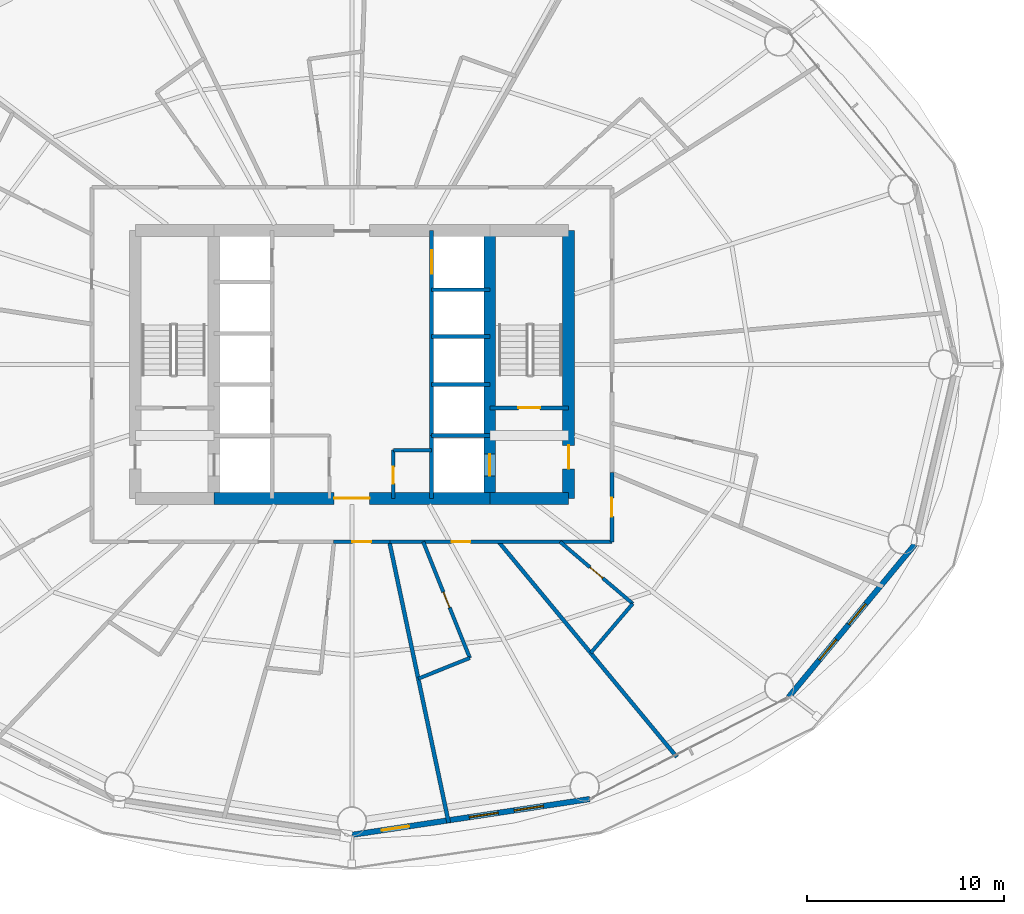
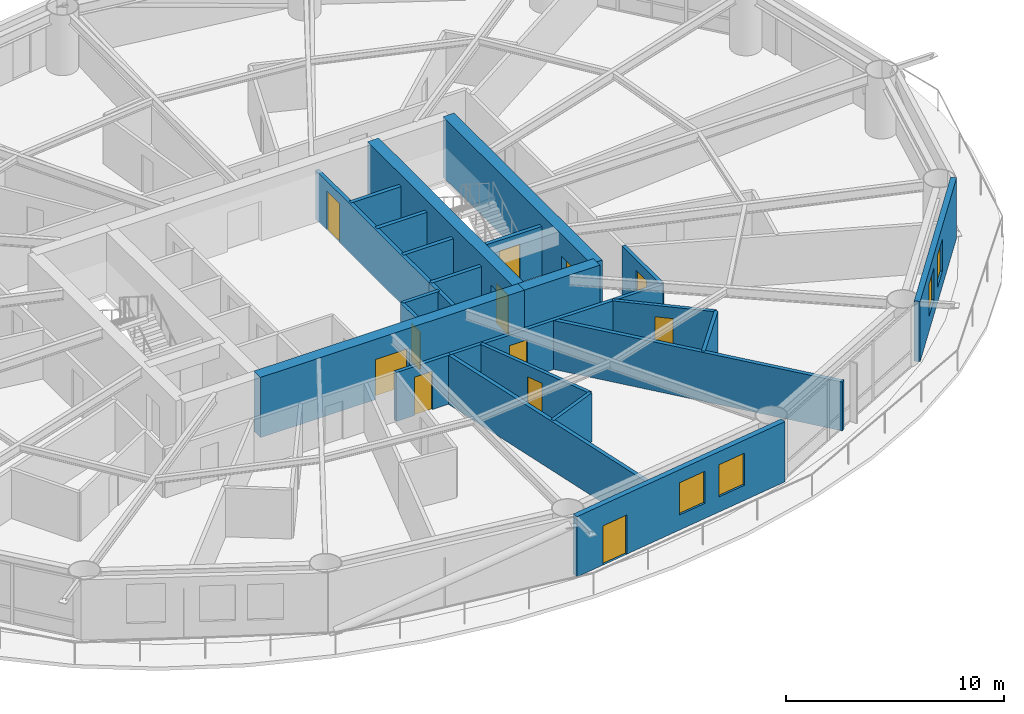
# One storey, part 23 of 28: 24 walls, 12 doors, 4 windows, 16 openings.
"""IFC4 building model written with IfcOpenShell, lengths in metres."""

from ifc_helpers import new_model, si_unit, direction, frame, frame_2d, origin, place, context, subcontext, project, spatial, rectangle, extrude, material, layer, layer_set, type_object, element, fill, save


model = new_model("IFC4")

# Units and contexts
model_context = context("Model", 3, precision=1e-05, world=origin(), true_north=direction((0.0, 1.0)))
body_context = subcontext(model_context, "Body", "Model", "MODEL_VIEW")
ifc_project = project(units=[si_unit("LENGTHUNIT", "METRE"), si_unit("AREAUNIT", "SQUARE_METRE"), si_unit("VOLUMEUNIT", "CUBIC_METRE"), si_unit("PLANEANGLEUNIT", "RADIAN"), si_unit("MASSUNIT", "GRAM", prefix="KILO")], contexts=[model_context])

# Site, building, storey
site_placement = place(None, origin())
site = spatial("IfcSite", under=ifc_project, at=site_placement, CompositionType="ELEMENT")
building_placement = place(site_placement, origin())
building = spatial("IfcBuilding", under=site, at=building_placement, Name="Sarneth Arch Tower", CompositionType="ELEMENT")
storey_placement = place(building_placement, frame((0.0, 0.0, 31.800048828125)))
storey = spatial("IfcBuildingStorey", under=building, at=storey_placement, Name="L06", CompositionType="ELEMENT", Elevation=31.800048828125)

# Wall, opening, door
ifc_material_1 = material(Name="Concrete C60/75", Category="concrete")
ifc_layer_1 = layer(ifc_material_1, 0.60009765625)
ifc_layer_set_1 = layer_set([ifc_layer_1], Name="Concrete C60/75")
wall_type_1 = type_object("IfcWallType", Name="WALL-CORE-600", PredefinedType="SHEAR", material=ifc_layer_set_1)
wall_1_placement = place(storey_placement, frame((41.0, 35.199951171875, 0.0), z_axis=(0.0, 0.0, 1.0), x_axis=(1.0, 0.0, 0.0)))
wall_1 = element("IfcWall", 1, at=wall_1_placement, inside=storey, type_object=wall_type_1, Name="L06 Core shear wall S-M", PredefinedType="SHEAR", context=body_context, shape_type="SweptSolid", body=[
    extrude(rectangle(XDim=14.0, YDim=0.60009765625, at=frame_2d((7.0, 0.0))), origin(), (0.0, 0.0, 1.0), 3.3798828125),
])
opening_1_placement = place(wall_1_placement, frame((6.10009765625, 0.0, 0.0)))
opening_1 = element("IfcOpeningElement", 2, at=opening_1_placement, cuts=wall_1, Name="Opening FD-01", PredefinedType="OPENING", context=body_context, shape_type="SweptSolid", body=[
    extrude(rectangle(XDim=1.800048828125, YDim=2.25, at=frame_2d((0.89990234375, 1.125))), frame((0.0, 0.31005859375, 0.0), z_axis=(0.0, -1.0, 0.0), x_axis=(1.0, 0.0, 0.0)), (0.0, 0.0, 1.0), 0.6201171875),
])
ifc_material_2 = material(Name="Galvanised Steel S275 fire door set", Category="steel")
door_type_1 = type_object("IfcDoorType", Name="DR-FD90-1800", OperationType="DOUBLE_DOOR_SINGLE_SWING", PredefinedType="DOOR", material=ifc_material_2)
door_1_placement = place(opening_1_placement, origin())
door_1 = element("IfcDoor", 3, at=door_1_placement, inside=storey, type_object=door_type_1, Name="L06 Central lift lobby south door", OperationType="DOUBLE_DOOR_SINGLE_SWING", OverallHeight=2.25, OverallWidth=1.800048828125, PredefinedType="DOOR", context=body_context, shape_type="SweptSolid", body=[
    extrude(rectangle(XDim=1.800048828125, YDim=2.25, at=frame_2d((0.89990234375, 1.125))), frame((0.0, 0.02490234375, 0.0), z_axis=(0.0, -1.0, 0.0), x_axis=(1.0, 0.0, 0.0)), (0.0, 0.0, 1.0), 0.050048828125),
])
fill(opening_1, door_1)

# Wall
wall_2_placement = place(storey_placement, frame((55.0, 35.199951171875, 0.0), z_axis=(0.0, 0.0, 1.0), x_axis=(1.0, 0.0, 0.0)))
element("IfcWall", 4, at=wall_2_placement, inside=storey, type_object=wall_type_1, Name="L06 Core shear wall S-E", PredefinedType="SHEAR", context=body_context, shape_type="SweptSolid", body=[
    extrude(rectangle(XDim=4.0, YDim=0.60009765625, at=frame_2d((2.0, 0.0))), origin(), (0.0, 0.0, 1.0), 3.3798828125),
])

# Wall, opening, door
wall_3_placement = place(storey_placement, frame((59.0, 35.199951171875, 0.0), z_axis=(0.0, 0.0, 1.0), x_axis=(0.0, 1.0, 0.0)))
wall_3 = element("IfcWall", 5, at=wall_3_placement, inside=storey, type_object=wall_type_1, Name="L06 Core shear wall E", PredefinedType="SHEAR", context=body_context, shape_type="SweptSolid", body=[
    extrude(rectangle(XDim=13.60009765625, YDim=0.60009765625, at=frame_2d((6.800048828125, 0.0))), origin(), (0.0, 0.0, 1.0), 3.3798828125),
])
opening_2_placement = place(wall_3_placement, frame((1.5, 0.0, 0.0)))
opening_2 = element("IfcOpeningElement", 6, at=opening_2_placement, cuts=wall_3, Name="Opening FD-02", PredefinedType="OPENING", context=body_context, shape_type="SweptSolid", body=[
    extrude(rectangle(XDim=1.199951171875, YDim=2.14990234375, at=frame_2d((0.60009765625, 1.074951171875))), frame((0.0, 0.31005859375, 0.0), z_axis=(0.0, -1.0, 0.0), x_axis=(1.0, 0.0, 0.0)), (0.0, 0.0, 1.0), 0.6201171875),
])
ifc_material_3 = material(Name="Galvanised Steel S275 fire door set", Category="steel")
door_type_2 = type_object("IfcDoorType", Name="DR-FD90-1200", OperationType="SINGLE_SWING_LEFT", PredefinedType="DOOR", material=ifc_material_3)
door_2_placement = place(opening_2_placement, origin())
door_2 = element("IfcDoor", 7, at=door_2_placement, inside=storey, type_object=door_type_2, Name="L06 Firefighting lobby 2 exit door", OperationType="SINGLE_SWING_RIGHT", OverallHeight=2.14990234375, OverallWidth=1.199951171875, PredefinedType="DOOR", context=body_context, shape_type="SweptSolid", body=[
    extrude(rectangle(XDim=1.199951171875, YDim=2.14990234375, at=frame_2d((0.60009765625, 1.074951171875))), frame((0.0, 0.02490234375, 0.0), z_axis=(0.0, -1.0, 0.0), x_axis=(1.0, 0.0, 0.0)), (0.0, 0.0, 1.0), 0.050048828125),
])
fill(opening_2, door_2)

wall_4_placement = place(storey_placement, frame((55.0, 35.199951171875, 0.0), z_axis=(0.0, 0.0, 1.0), x_axis=(0.0, 1.0, 0.0)))
wall_4 = element("IfcWall", 8, at=wall_4_placement, inside=storey, type_object=wall_type_1, Name="L06 Core shear wall WEB-E", PredefinedType="SHEAR", context=body_context, shape_type="SweptSolid", body=[
    extrude(rectangle(XDim=13.60009765625, YDim=0.60009765625, at=frame_2d((6.800048828125, 0.0))), origin(), (0.0, 0.0, 1.0), 3.3798828125),
])
opening_3_placement = place(wall_4_placement, frame((1.14990234375, 0.0, 0.0)))
opening_3 = element("IfcOpeningElement", 9, at=opening_3_placement, cuts=wall_4, Name="Opening LD-1", PredefinedType="OPENING", context=body_context, shape_type="SweptSolid", body=[
    extrude(rectangle(XDim=1.10009765625, YDim=2.199951171875, at=frame_2d((0.550048828125, 1.10009765625))), frame((0.0, 0.31005859375, 0.0), z_axis=(0.0, -1.0, 0.0), x_axis=(1.0, 0.0, 0.0)), (0.0, 0.0, 1.0), 0.6201171875),
])
ifc_material_4 = material(Name="Brushed Stainless Steel 304 lift landing door", Category="steel")
door_type_3 = type_object("IfcDoorType", Name="DR-LIFT-SLIDE-1100", OperationType="SLIDING_TO_LEFT", PredefinedType="DOOR", material=ifc_material_4)
door_3_placement = place(opening_3_placement, origin())
door_3 = element("IfcDoor", 10, at=door_3_placement, inside=storey, type_object=door_type_3, Name="L06 Firefighting lift landing door FL-2", OperationType="SLIDING_TO_RIGHT", OverallHeight=2.199951171875, OverallWidth=1.10009765625, PredefinedType="DOOR", context=body_context, shape_type="SweptSolid", body=[
    extrude(rectangle(XDim=1.10009765625, YDim=2.199951171875, at=frame_2d((0.550048828125, 1.10009765625))), frame((0.0, 0.02490234375, 0.0), z_axis=(0.0, -1.0, 0.0), x_axis=(1.0, 0.0, 0.0)), (0.0, 0.0, 1.0), 0.050048828125),
])
fill(opening_3, door_3)

ifc_material_5 = material(Name="Double steel-stud corridor fire wall", Category="steel")
ifc_layer_2 = layer(ifc_material_5, 0.18994140625)
ifc_layer_set_2 = layer_set([ifc_layer_2], Name="Double steel-stud corridor fire wall")
wall_type_2 = type_object("IfcWallType", Name="WALL-CORR-190", PredefinedType="PARTITIONING", material=ifc_layer_set_2)
wall_5_placement = place(storey_placement, frame((61.199951171875, 33.0, 0.0), z_axis=(0.0, 0.0, 1.0), x_axis=(-1.0, 0.0, 0.0)))
wall_5 = element("IfcWall", 11, at=wall_5_placement, inside=storey, type_object=wall_type_2, Name="L06 Interior partition W-L06-TP-022", PredefinedType="PARTITIONING", context=body_context, shape_type="SweptSolid", body=[
    extrude(rectangle(XDim=11.299560546875, YDim=0.18994140625, at=frame_2d((5.64990234375, 0.0))), origin(), (0.0, 0.0, 1.0), 2.739990234375),
])
opening_4_placement = place(wall_5_placement, frame((7.1884765625, 0.0, 0.0)))
opening_4 = element("IfcOpeningElement", 12, at=opening_4_placement, cuts=wall_5, Name="Opening FD-09", PredefinedType="OPENING", context=body_context, shape_type="SweptSolid", body=[
    extrude(rectangle(XDim=0.949951171875, YDim=2.14990234375, at=frame_2d((0.47509765625, 1.074951171875))), frame((0.0, 0.10498046875, 0.0), z_axis=(0.0, -1.0, 0.0), x_axis=(1.0, 0.0, 0.0)), (0.0, 0.0, 1.0), 0.2099609375),
])
ifc_material_6 = material(Name="Hardwood timber hotel entrance fire door", Category="wood")
door_type_4 = type_object("IfcDoorType", Name="DR-FD60-950", OperationType="SINGLE_SWING_RIGHT", PredefinedType="DOOR", material=ifc_material_6)
door_4_placement = place(opening_4_placement, origin())
door_4 = element("IfcDoor", 13, at=door_4_placement, inside=storey, type_object=door_type_4, Name="L06 Interior door DR-L06-KEY-11", OperationType="SINGLE_SWING_RIGHT", OverallHeight=2.14990234375, OverallWidth=0.949951171875, PredefinedType="DOOR", context=body_context, shape_type="SweptSolid", body=[
    extrude(rectangle(XDim=0.949951171875, YDim=2.14990234375, at=frame_2d((0.47509765625, 1.074951171875))), frame((0.0, 0.02490234375, 0.0), z_axis=(0.0, -1.0, 0.0), x_axis=(1.0, 0.0, 0.0)), (0.0, 0.0, 1.0), 0.050048828125),
])
fill(opening_4, door_4)

wall_6_placement = place(storey_placement, frame((61.199951171875, 36.51513671875, 0.0), z_axis=(0.0, 0.0, 1.0), x_axis=(0.0, -1.0, 0.0)))
wall_6 = element("IfcWall", 14, at=wall_6_placement, inside=storey, type_object=wall_type_2, Name="L06 Interior partition W-L06-TP-024", PredefinedType="PARTITIONING", context=body_context, shape_type="SweptSolid", body=[
    extrude(rectangle(XDim=3.51513671875, YDim=0.18994140625, at=frame_2d((1.757568359375, 0.0))), origin(), (0.0, 0.0, 1.0), 2.739990234375),
])
opening_5_placement = place(wall_6_placement, frame((1.282470703125, 0.0, 0.0)))
opening_5 = element("IfcOpeningElement", 15, at=opening_5_placement, cuts=wall_6, Name="Opening FD-09", PredefinedType="OPENING", context=body_context, shape_type="SweptSolid", body=[
    extrude(rectangle(XDim=0.949951171875, YDim=2.14990234375, at=frame_2d((0.47509765625, 1.074951171875))), frame((0.0, 0.10498046875, 0.0), z_axis=(0.0, -1.0, 0.0), x_axis=(1.0, 0.0, 0.0)), (0.0, 0.0, 1.0), 0.2099609375),
])
door_5_placement = place(opening_5_placement, origin())
door_5 = element("IfcDoor", 16, at=door_5_placement, inside=storey, type_object=door_type_4, Name="L06 Interior door DR-L06-KEY-12", OperationType="SINGLE_SWING_RIGHT", OverallHeight=2.14990234375, OverallWidth=0.949951171875, PredefinedType="DOOR", context=body_context, shape_type="SweptSolid", body=[
    extrude(rectangle(XDim=0.949951171875, YDim=2.14990234375, at=frame_2d((0.47509765625, 1.074951171875))), frame((0.0, 0.02490234375, 0.0), z_axis=(0.0, -1.0, 0.0), x_axis=(1.0, 0.0, 0.0)), (0.0, 0.0, 1.0), 0.050048828125),
])
fill(opening_5, door_5)

wall_7_placement = place(storey_placement, frame((49.93310546875, 33.0, 0.0), z_axis=(0.0, 0.0, 1.0), x_axis=(-1.0, 0.0, 0.0)))
wall_7 = element("IfcWall", 17, at=wall_7_placement, inside=storey, type_object=wall_type_2, Name="L06 Interior partition W-L06-TP-020", PredefinedType="PARTITIONING", context=body_context, shape_type="SweptSolid", body=[
    extrude(rectangle(XDim=2.87939453125, YDim=0.18994140625, at=frame_2d((1.439697265625, 0.0))), origin(), (0.0, 0.0, 1.0), 2.739990234375),
])
opening_6_placement = place(wall_7_placement, frame((0.96484375, 0.0, 0.0)))
opening_6 = element("IfcOpeningElement", 18, at=opening_6_placement, cuts=wall_7, Name="Opening FD-09", PredefinedType="OPENING", context=body_context, shape_type="SweptSolid", body=[
    extrude(rectangle(XDim=0.949951171875, YDim=2.14990234375, at=frame_2d((0.47509765625, 1.074951171875))), frame((0.0, 0.10498046875, 0.0), z_axis=(0.0, -1.0, 0.0), x_axis=(1.0, 0.0, 0.0)), (0.0, 0.0, 1.0), 0.2099609375),
])
door_6_placement = place(opening_6_placement, origin())
door_6 = element("IfcDoor", 19, at=door_6_placement, inside=storey, type_object=door_type_4, Name="L06 Interior door DR-L06-KEY-10", OperationType="SINGLE_SWING_RIGHT", OverallHeight=2.14990234375, OverallWidth=0.949951171875, PredefinedType="DOOR", context=body_context, shape_type="SweptSolid", body=[
    extrude(rectangle(XDim=0.949951171875, YDim=2.14990234375, at=frame_2d((0.47509765625, 1.074951171875))), frame((0.0, 0.02490234375, 0.0), z_axis=(0.0, -1.0, 0.0), x_axis=(1.0, 0.0, 0.0)), (0.0, 0.0, 1.0), 0.050048828125),
])
fill(opening_6, door_6)

# Wall, openings, door, windows
ifc_material_7 = material(Name="Extruded terracotta rainscreen on Concrete C40/50 backing", Category="masonry")
ifc_layer_3 = layer(ifc_material_7, 0.280029296875)
ifc_layer_set_3 = layer_set([ifc_layer_3], Name="Extruded terracotta rainscreen on Concrete C40/50 backing")
wall_type_3 = type_object("IfcWallType", Name="WALL-EXT-TERRA-280", PredefinedType="SOLIDWALL", material=ifc_layer_set_3)
wall_8_placement = place(storey_placement, frame((48.0, 18.1201171875, 0.0), z_axis=(0.0, 0.0, 1.0), x_axis=(0.988864835849, 0.148816452121, 0.0)))
wall_8 = element("IfcWall", 20, at=wall_8_placement, inside=storey, type_object=wall_type_3, Name="L06 Terracotta perimeter wall 13", PredefinedType="SOLIDWALL", context=body_context, shape_type="SweptSolid", body=[
    extrude(rectangle(XDim=12.2138671875, YDim=0.280029296875, at=frame_2d((6.10693359375, 0.0))), origin(), (0.0, 0.0, 1.0), 3.3798828125),
])
opening_7_placement = place(wall_8_placement, frame((1.53125, 0.0, 0.0)))
opening_7 = element("IfcOpeningElement", 21, at=opening_7_placement, cuts=wall_8, Name="Opening BD-2", PredefinedType="OPENING", context=body_context, shape_type="SweptSolid", body=[
    extrude(rectangle(XDim=1.39990234375, YDim=2.199951171875, at=frame_2d((0.699951171875, 1.10009765625))), frame((0.0, 0.14990234375, 0.0), z_axis=(0.0, -1.0, 0.0), x_axis=(1.0, 0.0, 0.0)), (0.0, 0.0, 1.0), 0.300048828125),
])
opening_8_placement = place(wall_8_placement, frame((6.01611328125, 0.0, 0.85009765625)))
opening_8 = element("IfcOpeningElement", 22, at=opening_8_placement, cuts=wall_8, Name="Opening W-07", PredefinedType="OPENING", context=body_context, shape_type="SweptSolid", body=[
    extrude(rectangle(XDim=1.5, YDim=1.800048828125, at=frame_2d((0.75, 0.89990234375))), frame((0.0, 0.14990234375, 0.0), z_axis=(0.0, -1.0, 0.0), x_axis=(1.0, 0.0, 0.0)), (0.0, 0.0, 1.0), 0.300048828125),
])
opening_9_placement = place(wall_8_placement, frame((8.333251953125, 0.0, 0.85009765625)))
opening_9 = element("IfcOpeningElement", 23, at=opening_9_placement, cuts=wall_8, Name="Opening W-07", PredefinedType="OPENING", context=body_context, shape_type="SweptSolid", body=[
    extrude(rectangle(XDim=1.5, YDim=1.800048828125, at=frame_2d((0.75, 0.89990234375))), frame((0.0, 0.14990234375, 0.0), z_axis=(0.0, -1.0, 0.0), x_axis=(1.0, 0.0, 0.0)), (0.0, 0.0, 1.0), 0.300048828125),
])
ifc_material_8 = material(Name="Thermally broken Aluminium 6063-T6 and laminated safety glass", Category="aluminium")
door_type_5 = type_object("IfcDoorType", Name="DR-BALC-GLZ-1400", OperationType="SINGLE_SWING_LEFT", PredefinedType="DOOR", material=ifc_material_8)
door_7_placement = place(opening_7_placement, origin())
door_7 = element("IfcDoor", 24, at=door_7_placement, inside=storey, type_object=door_type_5, Name="L06 Balcony glazed door 13", OperationType="SINGLE_SWING_LEFT", OverallHeight=2.199951171875, OverallWidth=1.39990234375, PredefinedType="DOOR", context=body_context, shape_type="SweptSolid", body=[
    extrude(rectangle(XDim=1.39990234375, YDim=2.199951171875, at=frame_2d((0.699951171875, 1.10009765625))), frame((0.0, 0.02490234375, 0.0), z_axis=(0.0, -1.0, 0.0), x_axis=(1.0, 0.0, 0.0)), (0.0, 0.0, 1.0), 0.050048828125),
])
fill(opening_7, door_7)
ifc_material_9 = material(Name="Thermally broken Aluminium 6063-T6 and low-e laminated IGU", Category="aluminium")
window_type_1 = type_object("IfcWindowType", Name="WIN-TWR-1500x1800", PartitioningType="SINGLE_PANEL", PredefinedType="WINDOW", material=ifc_material_9)
window_1_placement = place(opening_8_placement, origin())
window_1 = element("IfcWindow", 25, at=window_1_placement, inside=storey, type_object=window_type_1, Name="L06 Exterior window 13A", OverallHeight=1.800048828125, OverallWidth=1.5, PartitioningType="SINGLE_PANEL", PredefinedType="WINDOW", context=body_context, shape_type="SweptSolid", body=[
    extrude(rectangle(XDim=1.5, YDim=1.800048828125, at=frame_2d((0.75, 0.89990234375))), frame((0.0, 0.030029296875, 0.0), z_axis=(0.0, -1.0, 0.0), x_axis=(1.0, 0.0, 0.0)), (0.0, 0.0, 1.0), 0.06005859375),
])
fill(opening_8, window_1)
window_2_placement = place(opening_9_placement, origin())
window_2 = element("IfcWindow", 26, at=window_2_placement, inside=storey, type_object=window_type_1, Name="L06 Exterior window 13B", OverallHeight=1.800048828125, OverallWidth=1.5, PartitioningType="SINGLE_PANEL", PredefinedType="WINDOW", context=body_context, shape_type="SweptSolid", body=[
    extrude(rectangle(XDim=1.5, YDim=1.800048828125, at=frame_2d((0.75, 0.89990234375))), frame((0.0, 0.030029296875, 0.0), z_axis=(0.0, -1.0, 0.0), x_axis=(1.0, 0.0, 0.0)), (0.0, 0.0, 1.0), 0.06005859375),
])
fill(opening_9, window_2)

# Wall, openings, windows
wall_9_placement = place(storey_placement, frame((70.174072265625, 25.1142578125, 0.0), z_axis=(0.0, 0.0, 1.0), x_axis=(0.637296809613, 0.770618437657, 0.0)))
wall_9 = element("IfcWall", 27, at=wall_9_placement, inside=storey, type_object=wall_type_3, Name="L06 Terracotta perimeter wall 15", PredefinedType="SOLIDWALL", context=body_context, shape_type="SweptSolid", body=[
    extrude(rectangle(XDim=10.053466796875, YDim=0.280029296875, at=frame_2d((5.02685546875, 0.0))), origin(), (0.0, 0.0, 1.0), 3.3798828125),
])
opening_10_placement = place(wall_9_placement, frame((2.452880859375, 0.0, 0.85009765625)))
opening_10 = element("IfcOpeningElement", 28, at=opening_10_placement, cuts=wall_9, Name="Opening W-08", PredefinedType="OPENING", context=body_context, shape_type="SweptSolid", body=[
    extrude(rectangle(XDim=1.35009765625, YDim=1.800048828125, at=frame_2d((0.675048828125, 0.89990234375))), frame((0.0, 0.14990234375, 0.0), z_axis=(0.0, -1.0, 0.0), x_axis=(1.0, 0.0, 0.0)), (0.0, 0.0, 1.0), 0.300048828125),
])
opening_11_placement = place(wall_9_placement, frame((4.789306640625, 0.0, 0.85009765625)))
opening_11 = element("IfcOpeningElement", 29, at=opening_11_placement, cuts=wall_9, Name="Opening W-08", PredefinedType="OPENING", context=body_context, shape_type="SweptSolid", body=[
    extrude(rectangle(XDim=1.35009765625, YDim=1.800048828125, at=frame_2d((0.675048828125, 0.89990234375))), frame((0.0, 0.14990234375, 0.0), z_axis=(0.0, -1.0, 0.0), x_axis=(1.0, 0.0, 0.0)), (0.0, 0.0, 1.0), 0.300048828125),
])
ifc_material_10 = material(Name="Thermally broken Aluminium 6063-T6 and low-e laminated IGU", Category="aluminium")
window_type_2 = type_object("IfcWindowType", Name="WIN-TWR-1350x1800", PartitioningType="SINGLE_PANEL", PredefinedType="WINDOW", material=ifc_material_10)
window_3_placement = place(opening_10_placement, origin())
window_3 = element("IfcWindow", 30, at=window_3_placement, inside=storey, type_object=window_type_2, Name="L06 Exterior window 15A", OverallHeight=1.800048828125, OverallWidth=1.35009765625, PartitioningType="SINGLE_PANEL", PredefinedType="WINDOW", context=body_context, shape_type="SweptSolid", body=[
    extrude(rectangle(XDim=1.35009765625, YDim=1.800048828125, at=frame_2d((0.675048828125, 0.89990234375))), frame((0.0, 0.030029296875, 0.0), z_axis=(0.0, -1.0, 0.0), x_axis=(1.0, 0.0, 0.0)), (0.0, 0.0, 1.0), 0.06005859375),
])
fill(opening_10, window_3)
window_4_placement = place(opening_11_placement, origin())
window_4 = element("IfcWindow", 31, at=window_4_placement, inside=storey, type_object=window_type_2, Name="L06 Exterior window 15B", OverallHeight=1.800048828125, OverallWidth=1.35009765625, PartitioningType="SINGLE_PANEL", PredefinedType="WINDOW", context=body_context, shape_type="SweptSolid", body=[
    extrude(rectangle(XDim=1.35009765625, YDim=1.800048828125, at=frame_2d((0.675048828125, 0.89990234375))), frame((0.0, 0.030029296875, 0.0), z_axis=(0.0, -1.0, 0.0), x_axis=(1.0, 0.0, 0.0)), (0.0, 0.0, 1.0), 0.06005859375),
])
fill(opening_11, window_4)

# Wall
ifc_material_11 = material(Name="Moisture-resistant plumbing chase wall", Category="gypsum")
ifc_layer_4 = layer(ifc_material_11, 0.179931640625)
ifc_layer_set_4 = layer_set([ifc_layer_4], Name="Moisture-resistant plumbing chase wall")
wall_type_4 = type_object("IfcWallType", Name="WALL-PLUMB-180", PredefinedType="PLUMBINGWALL", material=ifc_layer_set_4)
wall_10_placement = place(storey_placement, frame((50.10009765625, 37.64990234375, 0.0), z_axis=(0.0, 0.0, 1.0), x_axis=(1.0, 0.0, 0.0)))
element("IfcWall", 32, at=wall_10_placement, inside=storey, type_object=wall_type_4, Name="L06 Interior partition W-L06-AWC-N", PredefinedType="PLUMBINGWALL", context=body_context, shape_type="SweptSolid", body=[
    extrude(rectangle(XDim=1.949951171875, YDim=0.179931640625, at=frame_2d((0.97509765625, 0.0))), origin(), (0.0, 0.0, 1.0), 2.739990234375),
])

# Wall, opening, door
wall_11_placement = place(storey_placement, frame((50.10009765625, 35.199951171875, 0.0), z_axis=(0.0, 0.0, 1.0), x_axis=(0.0, 1.0, 0.0)))
wall_11 = element("IfcWall", 33, at=wall_11_placement, inside=storey, type_object=wall_type_4, Name="L06 Interior partition W-L06-AWC-W", PredefinedType="PLUMBINGWALL", context=body_context, shape_type="SweptSolid", body=[
    extrude(rectangle(XDim=2.449951171875, YDim=0.179931640625, at=frame_2d((1.22509765625, 0.0))), origin(), (0.0, 0.0, 1.0), 2.739990234375),
])
opening_12_placement = place(wall_11_placement, frame((0.75, 0.0, 0.0)))
opening_12 = element("IfcOpeningElement", 34, at=opening_12_placement, cuts=wall_11, Name="Opening ID-02", PredefinedType="OPENING", context=body_context, shape_type="SweptSolid", body=[
    extrude(rectangle(XDim=0.85009765625, YDim=2.10009765625, at=frame_2d((0.425048828125, 1.050048828125))), frame((0.0, 0.099853515625, 0.0), z_axis=(0.0, -1.0, 0.0), x_axis=(1.0, 0.0, 0.0)), (0.0, 0.0, 1.0), 0.199951171875),
])
ifc_material_12 = material(Name="Moisture-resistant bathroom timber door", Category="wood")
door_type_6 = type_object("IfcDoorType", Name="DR-INT-850", OperationType="SINGLE_SWING_RIGHT", PredefinedType="DOOR", material=ifc_material_12)
door_8_placement = place(opening_12_placement, origin())
door_8 = element("IfcDoor", 35, at=door_8_placement, inside=storey, type_object=door_type_6, Name="L06 Interior door DR-L06-AWC", OperationType="SINGLE_SWING_RIGHT", OverallHeight=2.10009765625, OverallWidth=0.85009765625, PredefinedType="DOOR", context=body_context, shape_type="SweptSolid", body=[
    extrude(rectangle(XDim=0.85009765625, YDim=2.10009765625, at=frame_2d((0.425048828125, 1.050048828125))), frame((0.0, 0.02490234375, 0.0), z_axis=(0.0, -1.0, 0.0), x_axis=(1.0, 0.0, 0.0)), (0.0, 0.0, 1.0), 0.050048828125),
])
fill(opening_12, door_8)

wall_12_placement = place(storey_placement, frame((53.986572265625, 27.102294921875, 0.0), z_axis=(0.0, 0.0, 1.0), x_axis=(-0.37285379951, 0.927890103509, 0.0)))
wall_12 = element("IfcWall", 36, at=wall_12_placement, inside=storey, type_object=wall_type_4, Name="L06 Interior partition W-L06-TP-066", PredefinedType="PLUMBINGWALL", context=body_context, shape_type="SweptSolid", body=[
    extrude(rectangle(XDim=6.35595703125, YDim=0.179931640625, at=frame_2d((3.177978515625, 0.0))), origin(), (0.0, 0.0, 1.0), 2.739990234375),
])
opening_13_placement = place(wall_12_placement, frame((2.7529296875, 0.0, 0.0)))
opening_13 = element("IfcOpeningElement", 37, at=opening_13_placement, cuts=wall_12, Name="Opening ID-02", PredefinedType="OPENING", context=body_context, shape_type="SweptSolid", body=[
    extrude(rectangle(XDim=0.85009765625, YDim=2.10009765625, at=frame_2d((0.425048828125, 1.050048828125))), frame((0.0, 0.099853515625, 0.0), z_axis=(0.0, -1.0, 0.0), x_axis=(1.0, 0.0, 0.0)), (0.0, 0.0, 1.0), 0.199951171875),
])
door_9_placement = place(opening_13_placement, origin())
door_9 = element("IfcDoor", 38, at=door_9_placement, inside=storey, type_object=door_type_6, Name="L06 Interior door DR-L06-ENS-11", OperationType="SINGLE_SWING_LEFT", OverallHeight=2.10009765625, OverallWidth=0.85009765625, PredefinedType="DOOR", context=body_context, shape_type="SweptSolid", body=[
    extrude(rectangle(XDim=0.85009765625, YDim=2.10009765625, at=frame_2d((0.425048828125, 1.050048828125))), frame((0.0, 0.02490234375, 0.0), z_axis=(0.0, -1.0, 0.0), x_axis=(1.0, 0.0, 0.0)), (0.0, 0.0, 1.0), 0.050048828125),
])
fill(opening_13, door_9)

wall_13_placement = place(storey_placement, frame((62.2578125, 29.85888671875, 0.0), z_axis=(0.0, 0.0, 1.0), x_axis=(-0.761358380859, 0.648331254758, 0.0)))
wall_13 = element("IfcWall", 39, at=wall_13_placement, inside=storey, type_object=wall_type_4, Name="L06 Interior partition W-L06-TP-070", PredefinedType="PLUMBINGWALL", context=body_context, shape_type="SweptSolid", body=[
    extrude(rectangle(XDim=4.844970703125, YDim=0.179931640625, at=frame_2d((2.42236328125, 0.0))), origin(), (0.0, 0.0, 1.0), 2.739990234375),
])
opening_14_placement = place(wall_13_placement, frame((1.997314453125, 0.0, 0.0)))
opening_14 = element("IfcOpeningElement", 40, at=opening_14_placement, cuts=wall_13, Name="Opening ID-02", PredefinedType="OPENING", context=body_context, shape_type="SweptSolid", body=[
    extrude(rectangle(XDim=0.85009765625, YDim=2.10009765625, at=frame_2d((0.425048828125, 1.050048828125))), frame((0.0, 0.099853515625, 0.0), z_axis=(0.0, -1.0, 0.0), x_axis=(1.0, 0.0, 0.0)), (0.0, 0.0, 1.0), 0.199951171875),
])
door_10_placement = place(opening_14_placement, origin())
door_10 = element("IfcDoor", 41, at=door_10_placement, inside=storey, type_object=door_type_6, Name="L06 Interior door DR-L06-ENS-12", OperationType="SINGLE_SWING_LEFT", OverallHeight=2.10009765625, OverallWidth=0.85009765625, PredefinedType="DOOR", context=body_context, shape_type="SweptSolid", body=[
    extrude(rectangle(XDim=0.85009765625, YDim=2.10009765625, at=frame_2d((0.425048828125, 1.050048828125))), frame((0.0, 0.02490234375, 0.0), z_axis=(0.0, -1.0, 0.0), x_axis=(1.0, 0.0, 0.0)), (0.0, 0.0, 1.0), 0.050048828125),
])
fill(opening_14, door_10)

# Walls
wall_14_placement = place(storey_placement, frame((60.123779296875, 27.352783203125, 0.0), z_axis=(0.0, 0.0, 1.0), x_axis=(0.648326357453, 0.76136255111, 0.0)))
element("IfcWall", 42, at=wall_14_placement, inside=storey, type_object=wall_type_4, Name="L06 Interior partition W-L06-TP-069", PredefinedType="PLUMBINGWALL", context=body_context, shape_type="SweptSolid", body=[
    extrude(rectangle(XDim=3.29150390625, YDim=0.179931640625, at=frame_2d((1.645751953125, 0.0))), origin(), (0.0, 0.0, 1.0), 2.739990234375),
])
wall_15_placement = place(storey_placement, frame((51.367919921875, 26.050048828125, 0.0), z_axis=(0.0, 0.0, 1.0), x_axis=(0.927890861741, 0.372851912558, 0.0)))
element("IfcWall", 43, at=wall_15_placement, inside=storey, type_object=wall_type_4, Name="L06 Interior partition W-L06-TP-065", PredefinedType="PLUMBINGWALL", context=body_context, shape_type="SweptSolid", body=[
    extrude(rectangle(XDim=2.822265625, YDim=0.179931640625, at=frame_2d((1.4111328125, 0.0))), origin(), (0.0, 0.0, 1.0), 2.739990234375),
])

# Wall, opening, door
ifc_material_13 = material(Name="Aerated concrete blockwork C25/30", Category="masonry")
ifc_layer_5 = layer(ifc_material_13, 0.199951171875)
ifc_layer_set_5 = layer_set([ifc_layer_5], Name="Aerated concrete blockwork C25/30")
wall_type_5 = type_object("IfcWallType", Name="WALL-SHAFT-200", PredefinedType="SOLIDWALL", material=ifc_layer_set_5)
wall_16_placement = place(storey_placement, frame((55.0, 39.800048828125, 0.0), z_axis=(0.0, 0.0, 1.0), x_axis=(1.0, 0.0, 0.0)))
wall_16 = element("IfcWall", 44, at=wall_16_placement, inside=storey, type_object=wall_type_5, Name="L06 Interior partition W-L06-ST2-S", PredefinedType="SOLIDWALL", context=body_context, shape_type="SweptSolid", body=[
    extrude(rectangle(XDim=4.0, YDim=0.199951171875, at=frame_2d((2.0, 0.0))), origin(), (0.0, 0.0, 1.0), 2.739990234375),
])
opening_15_placement = place(wall_16_placement, frame((1.449951171875, 0.0, 0.0)))
opening_15 = element("IfcOpeningElement", 45, at=opening_15_placement, cuts=wall_16, Name="Opening FD-03", PredefinedType="OPENING", context=body_context, shape_type="SweptSolid", body=[
    extrude(rectangle(XDim=1.10009765625, YDim=2.14990234375, at=frame_2d((0.550048828125, 1.074951171875))), frame((0.0, 0.10986328125, 0.0), z_axis=(0.0, -1.0, 0.0), x_axis=(1.0, 0.0, 0.0)), (0.0, 0.0, 1.0), 0.219970703125),
])
ifc_material_14 = material(Name="Galvanised Steel S275 fire door set", Category="steel")
door_type_7 = type_object("IfcDoorType", Name="DR-FD90-1100", OperationType="SINGLE_SWING_LEFT", PredefinedType="DOOR", material=ifc_material_14)
door_11_placement = place(opening_15_placement, origin())
door_11 = element("IfcDoor", 46, at=door_11_placement, inside=storey, type_object=door_type_7, Name="L06 Interior door DR-L06-ST2", OperationType="SINGLE_SWING_RIGHT", OverallHeight=2.14990234375, OverallWidth=1.10009765625, PredefinedType="DOOR", context=body_context, shape_type="SweptSolid", body=[
    extrude(rectangle(XDim=1.10009765625, YDim=2.14990234375, at=frame_2d((0.550048828125, 1.074951171875))), frame((0.0, 0.02490234375, 0.0), z_axis=(0.0, -1.0, 0.0), x_axis=(1.0, 0.0, 0.0)), (0.0, 0.0, 1.0), 0.050048828125),
])
fill(opening_15, door_11)

# Walls
wall_17_placement = place(storey_placement, frame((52.050048828125, 35.199951171875, 0.0), z_axis=(0.0, 0.0, 1.0), x_axis=(0.0, 1.0, 0.0)))
element("IfcWall", 47, at=wall_17_placement, inside=storey, type_object=wall_type_5, Name="L06 Interior partition W-L06-FL2-W", PredefinedType="SOLIDWALL", context=body_context, shape_type="SweptSolid", body=[
    extrude(rectangle(XDim=3.199951171875, YDim=0.199951171875, at=frame_2d((1.60009765625, 0.0))), origin(), (0.0, 0.0, 1.0), 2.739990234375),
])
wall_18_placement = place(storey_placement, frame((52.050048828125, 38.39990234375, 0.0), z_axis=(0.0, 0.0, 1.0), x_axis=(1.0, 0.0, 0.0)))
element("IfcWall", 48, at=wall_18_placement, inside=storey, type_object=wall_type_5, Name="L06 Interior partition W-L06-FL2-N", PredefinedType="SOLIDWALL", context=body_context, shape_type="SweptSolid", body=[
    extrude(rectangle(XDim=2.949951171875, YDim=0.199951171875, at=frame_2d((1.47509765625, 0.0))), origin(), (0.0, 0.0, 1.0), 2.739990234375),
])

# Wall, opening, door
wall_19_placement = place(storey_placement, frame((52.050048828125, 38.39990234375, 0.0), z_axis=(0.0, 0.0, 1.0), x_axis=(0.0, 1.0, 0.0)))
wall_19 = element("IfcWall", 49, at=wall_19_placement, inside=storey, type_object=wall_type_5, Name="L06 Interior partition W-L06-EASTBANK-FRONT", PredefinedType="SOLIDWALL", context=body_context, shape_type="SweptSolid", body=[
    extrude(rectangle(XDim=10.400146484375, YDim=0.199951171875, at=frame_2d((5.2001953125, 0.0))), origin(), (0.0, 0.0, 1.0), 2.739990234375),
])
opening_16_placement = place(wall_19_placement, frame((8.199951171875, 0.0, 0.0)))
opening_16 = element("IfcOpeningElement", 50, at=opening_16_placement, cuts=wall_19, Name="Opening LD-2", PredefinedType="OPENING", context=body_context, shape_type="SweptSolid", body=[
    extrude(rectangle(XDim=1.199951171875, YDim=2.199951171875, at=frame_2d((0.60009765625, 1.10009765625))), frame((0.0, 0.10986328125, 0.0), z_axis=(0.0, -1.0, 0.0), x_axis=(1.0, 0.0, 0.0)), (0.0, 0.0, 1.0), 0.219970703125),
])
ifc_material_15 = material(Name="Brushed Stainless Steel 304 service lift door", Category="steel")
door_type_8 = type_object("IfcDoorType", Name="DR-LIFT-SLIDE-1200", OperationType="SLIDING_TO_RIGHT", PredefinedType="DOOR", material=ifc_material_15)
door_12_placement = place(opening_16_placement, origin())
door_12 = element("IfcDoor", 51, at=door_12_placement, inside=storey, type_object=door_type_8, Name="L06 Lift landing door DR-L06-LD-SL1", OperationType="SLIDING_TO_RIGHT", OverallHeight=2.199951171875, OverallWidth=1.199951171875, PredefinedType="DOOR", context=body_context, shape_type="SweptSolid", body=[
    extrude(rectangle(XDim=1.199951171875, YDim=2.199951171875, at=frame_2d((0.60009765625, 1.10009765625))), frame((0.0, 0.02490234375, 0.0), z_axis=(0.0, -1.0, 0.0), x_axis=(1.0, 0.0, 0.0)), (0.0, 0.0, 1.0), 0.050048828125),
])
fill(opening_16, door_12)

# Walls
for number, where, z_axis, x_axis, name in (
    (52, (52.050048828125, 40.97998046875, 0.0), (0.0, 0.0, 1.0), (1.0, 0.0, 0.0), "L06 Interior partition W-L06-EB-DIV-4098"),
    (53, (52.050048828125, 43.419921875, 0.0), (0.0, 0.0, 1.0), (1.0, 0.0, 0.0), "L06 Interior partition W-L06-EB-DIV-4342"),
    (54, (52.050048828125, 45.800048828125, 0.0), (0.0, 0.0, 1.0), (1.0, 0.0, 0.0), "L06 Interior partition W-L06-EB-DIV-4580"),
):
    element("IfcWall", number, at=place(storey_placement, frame(where, z_axis=z_axis, x_axis=x_axis)), inside=storey, type_object=wall_type_5, Name=name, PredefinedType="SOLIDWALL", context=body_context, shape_type="SweptSolid", body=[
        extrude(rectangle(XDim=2.949951171875, YDim=0.199951171875, at=frame_2d((1.47509765625, 0.0))), origin(), (0.0, 0.0, 1.0), 2.739990234375),
    ])
ifc_material_16 = material(Name="Double steel-stud acoustic drywall", Category="steel")
ifc_layer_6 = layer(ifc_material_16, 0.199951171875)
ifc_layer_set_6 = layer_set([ifc_layer_6], Name="Double steel-stud acoustic drywall")
wall_type_6 = type_object("IfcWallType", Name="WALL-UNIT-200", PredefinedType="PARTITIONING", material=ifc_layer_set_6)
wall_20_placement = place(storey_placement, frame((49.900390625, 33.0, 0.0), z_axis=(0.0, 0.0, 1.0), x_axis=(0.206598790959, -0.97842574556, 0.0)))
element("IfcWall", 55, at=wall_20_placement, inside=storey, type_object=wall_type_6, Name="L06 Interior partition W-L06-TP-063", PredefinedType="PARTITIONING", context=body_context, shape_type="SweptSolid", body=[
    extrude(rectangle(XDim=14.576416015625, YDim=0.199951171875, at=frame_2d((7.2880859375, 0.0))), origin(), (0.0, 0.0, 1.0), 2.739990234375),
])
wall_21_placement = place(storey_placement, frame((55.449462890625, 33.0, 0.0), z_axis=(0.0, 0.0, 1.0), x_axis=(0.637638501905, -0.770335732579, 0.0)))
element("IfcWall", 56, at=wall_21_placement, inside=storey, type_object=wall_type_6, Name="L06 Interior partition W-L06-TP-068", PredefinedType="PARTITIONING", context=body_context, shape_type="SweptSolid", body=[
    extrude(rectangle(XDim=14.18701171875, YDim=0.199951171875, at=frame_2d((7.093505859375, 0.0))), origin(), (0.0, 0.0, 1.0), 2.739990234375),
])

save(model, "model.ifc")
